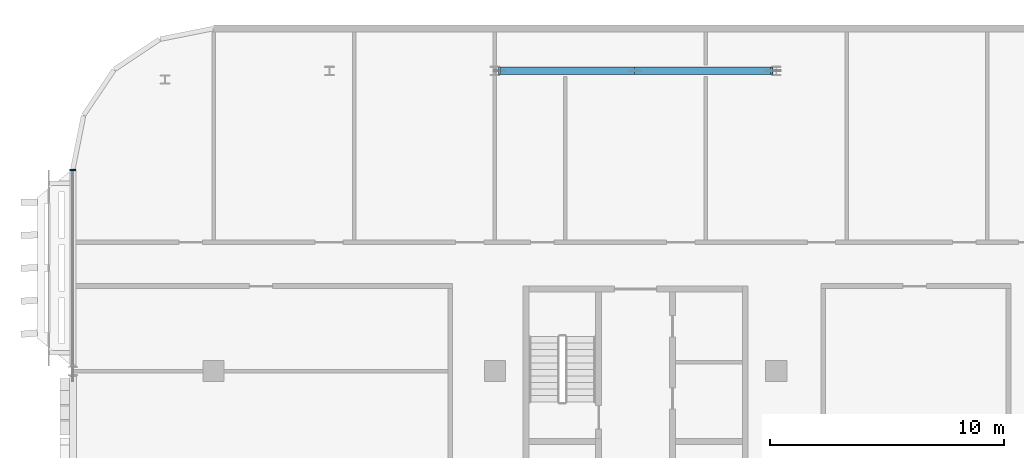
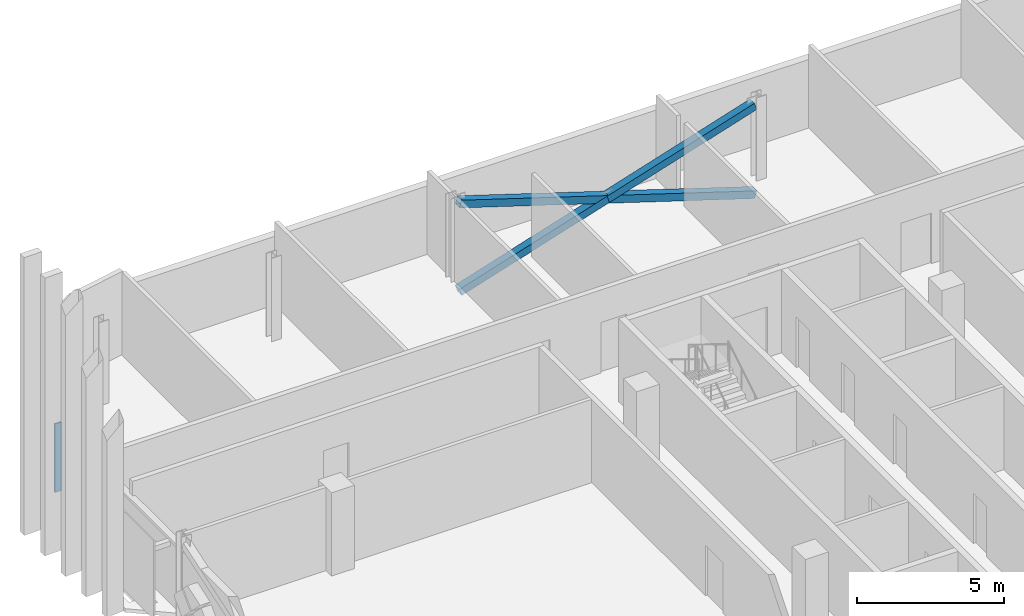
# One storey, part 7 of 30: 4 members, 1 element without a shape of its own.
"""IFC4 building model written with IfcOpenShell, lengths in metres."""

from ifc_helpers import new_model, si_unit, direction, frame, origin, origin_2d, place, context, subcontext, project, spatial, rectangle, hollow_rectangle, extrude, material, material_profile, profile_set, type_object, element, aggregate, save


model = new_model("IFC4")

# Units and contexts
model_context = context("Model", 3, precision=1e-05, world=origin(), true_north=direction((0.0, 1.0)))
body_context = subcontext(model_context, "Body", "Model", "MODEL_VIEW")
ifc_project = project(units=[si_unit("LENGTHUNIT", "METRE"), si_unit("AREAUNIT", "SQUARE_METRE"), si_unit("VOLUMEUNIT", "CUBIC_METRE"), si_unit("PLANEANGLEUNIT", "RADIAN"), si_unit("MASSUNIT", "GRAM", prefix="KILO")], contexts=[model_context])

# Site, building, storey
site_placement = place(None, origin())
site = spatial("IfcSite", under=ifc_project, at=site_placement, CompositionType="ELEMENT")
building_placement = place(site_placement, origin())
building = spatial("IfcBuilding", under=site, at=building_placement, Name="Mahtab Terrace Research Tower", CompositionType="ELEMENT")
storey_placement = place(building_placement, frame((0.0, 0.0, 263.300048828125)))
storey = spatial("IfcBuildingStorey", under=building, at=storey_placement, Name="L64", CompositionType="ELEMENT", Elevation=263.300048828125)

# Members
ifc_material_1 = material(Name="Steel ASTM A500 Gr C", Category="steel")
ifc_material_profile_1 = material_profile(ifc_material_1, hollow_rectangle(XDim=0.3046875, YDim=0.3046875, WallThickness=0.015869140625, at=origin_2d()), Name="HSS12X12X5/8")
ifc_profile_set_1 = profile_set([ifc_material_profile_1], Name="Steel ASTM A500 Gr C")
member_type_1 = type_object("IfcMemberType", Name="HSS 12x12x5/8 brace XB121258", PredefinedType="BRACE", material=ifc_profile_set_1)
member_1_placement = place(storey_placement, frame((-18.19677734375, 24.306884765625, -0.581298828125), z_axis=(-0.953344149173, 0.0, 0.301885629399), x_axis=(0.0, -1.0, 0.0)))
element("IfcMember", 1, at=member_1_placement, inside=storey, type_object=member_type_1, Name="Exoskeleton brace L64 07 a", PredefinedType="BRACE", context=body_context, shape_type="SweptSolid", body=[
    extrude(hollow_rectangle(XDim=0.3046875, YDim=0.3046875, WallThickness=0.015869140625, at=origin_2d()), origin(), (0.0, 0.0, 1.0), 12.174560546875),
])
for number, where, z_axis, x_axis, name in (
    (2, (-29.80322265625, 24.306884765625, -0.581298828125), (0.953344149173, 0.0, 0.301885629399), (0.0, 1.0, 0.0), "Exoskeleton brace L64 07 b1"),
    (3, (-24.0, 24.306884765625, 1.25634765625), (0.953344149173, 0.0, 0.301885629399), (0.0, 1.0, 0.0), "Exoskeleton brace L64 07 b2"),
):
    element("IfcMember", number, at=place(storey_placement, frame(where, z_axis=z_axis, x_axis=x_axis)), inside=storey, type_object=member_type_1, Name=name, PredefinedType="BRACE", context=body_context, shape_type="SweptSolid", body=[
        extrude(hollow_rectangle(XDim=0.3046875, YDim=0.3046875, WallThickness=0.015869140625, at=origin_2d()), origin(), (0.0, 0.0, 1.0), 6.087158203125),
    ])

# Curtain wall, member
ifc_material_2 = material(Name="Sky lounge full-height curtain wall")
curtain_wall_type = type_object("IfcCurtainWallType", Name="Sky lounge full-height curtain wall", PredefinedType="NOTDEFINED", material=ifc_material_2)
curtain_wall_placement = place(storey_placement, origin())
curtain_wall = element("IfcCurtainWall", 4, at=curtain_wall_placement, inside=storey, type_object=curtain_wall_type, Name="EN.L64.8.8", PredefinedType="NOTDEFINED")
ifc_material_3 = material(Name="Natural anodised aluminium", Category="aluminium")
ifc_material_profile_2 = material_profile(ifc_material_3, rectangle(XDim=0.25, YDim=0.070068359375, at=origin_2d()), Name="MULLION 70x250")
ifc_profile_set_2 = profile_set([ifc_material_profile_2], Name="Natural anodised aluminium")
member_type_2 = type_object("IfcMemberType", Name="Sky lounge full-height curtain wall mullion", PredefinedType="MULLION", material=ifc_profile_set_2)
member_2_placement = place(storey_placement, frame((-48.0, 20.076904296875, 0.0), z_axis=(0.0, 0.0, 1.0), x_axis=(1.0, 0.0, 0.0)))
member_2 = element("IfcMember", 5, at=member_2_placement, type_object=member_type_2, Name="CWS-8 mullion 1", PredefinedType="MULLION", context=body_context, shape_type="SweptSolid", body=[
    extrude(rectangle(XDim=0.25, YDim=0.070068359375, at=origin_2d()), origin(), (0.0, 0.0, 1.0), 2.852783203125),
])
aggregate(curtain_wall, [member_2])

save(model, "model.ifc")
